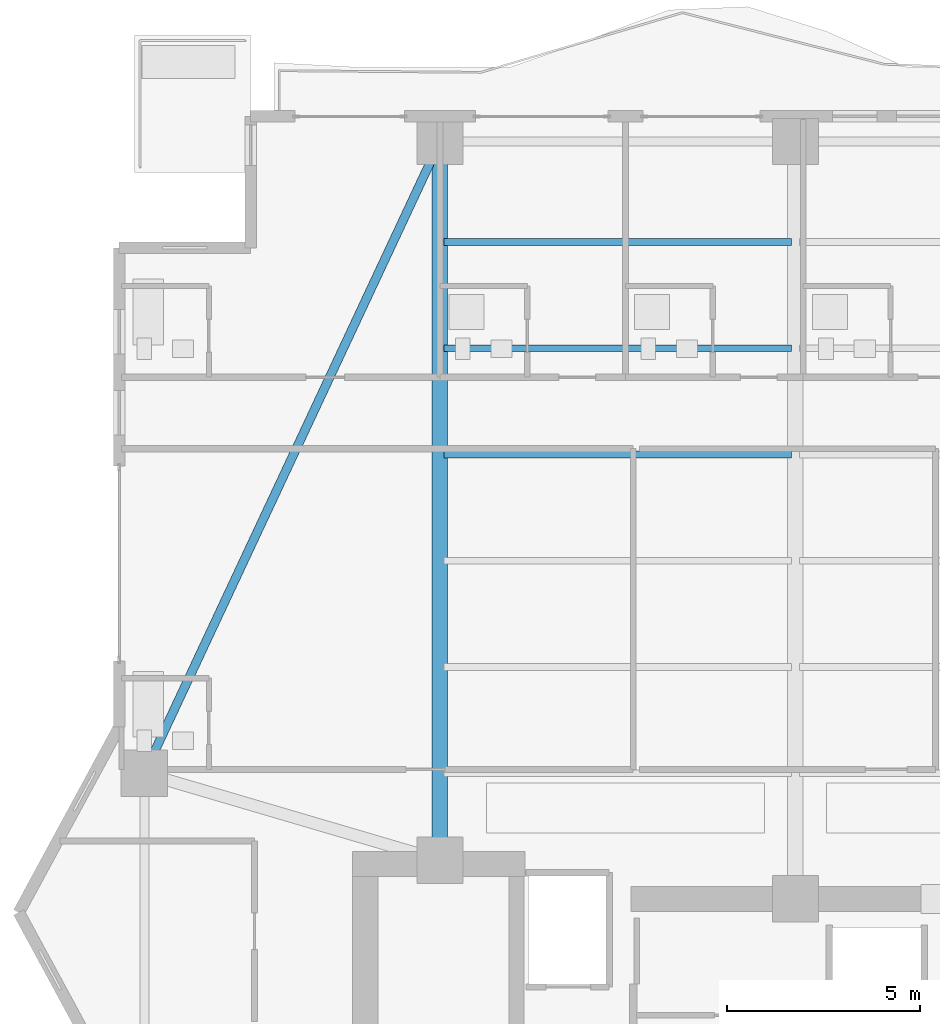
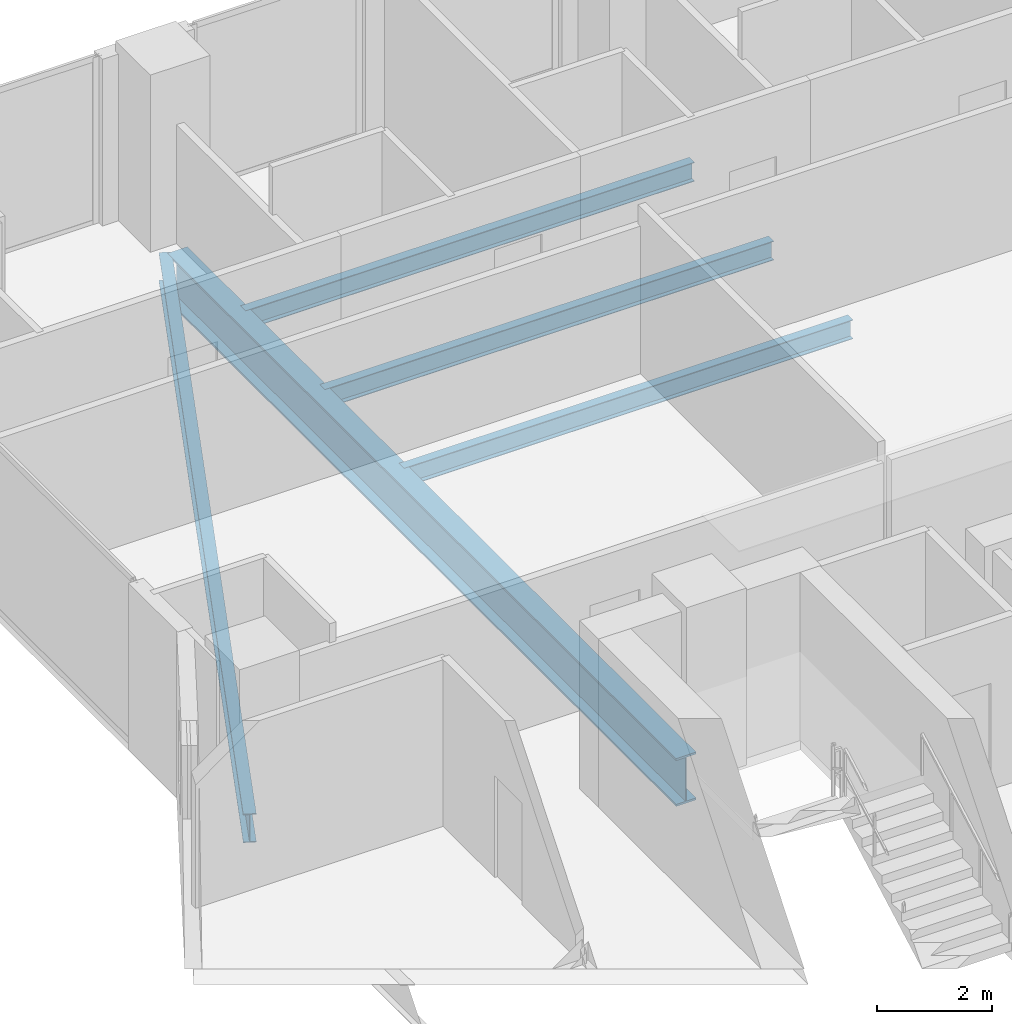
# One storey, part 16 of 33: 5 beams.
"""IFC4 building model written with IfcOpenShell, lengths in metres."""

from ifc_helpers import new_model, si_unit, direction, frame, origin, origin_2d, place, context, subcontext, project, spatial, i_section, extrude, material, material_profile, profile_set, type_object, element, save


model = new_model("IFC4")

# Units and contexts
model_context = context("Model", 3, precision=1e-05, world=origin(), true_north=direction((0.0, 1.0)))
body_context = subcontext(model_context, "Body", "Model", "MODEL_VIEW")
ifc_project = project(units=[si_unit("LENGTHUNIT", "METRE"), si_unit("AREAUNIT", "SQUARE_METRE"), si_unit("VOLUMEUNIT", "CUBIC_METRE"), si_unit("PLANEANGLEUNIT", "RADIAN"), si_unit("MASSUNIT", "GRAM", prefix="KILO")], contexts=[model_context])

# Site, building, storey
site_placement = place(None, origin())
site = spatial("IfcSite", under=ifc_project, at=site_placement, CompositionType="ELEMENT")
building_placement = place(site_placement, origin())
building = spatial("IfcBuilding", under=site, at=building_placement, Name="Zuhayl Quay Hotel", CompositionType="ELEMENT")
storey_placement = place(building_placement, frame((0.0, 0.0, 222.39990234375)))
storey = spatial("IfcBuildingStorey", under=building, at=storey_placement, Name="L56", CompositionType="ELEMENT", Elevation=222.39990234375)

# Beams
ifc_material = material(Name="Steel ASTM A992 Grade 50", Category="steel")
ifc_material_profile_1 = material_profile(ifc_material, i_section(OverallWidth=0.22802734375, OverallDepth=0.60693359375, WebThickness=0.01123046875, FlangeThickness=0.017333984375, at=origin_2d()), Name="W24X76")
ifc_profile_set_1 = profile_set([ifc_material_profile_1], Name="Steel ASTM A992 Grade 50")
beam_type_1 = type_object("IfcBeamType", Name="BM_B3_W24X76", PredefinedType="BEAM", material=ifc_profile_set_1)
beam_1_placement = place(storey_placement, frame((-14.011962890625, 32.4970703125, -0.5234375), z_axis=(-0.423792164429, -0.905759461098, 0.0), x_axis=(0.905759461098, -0.423792164429, 0.0)))
element("IfcBeam", 1, at=beam_1_placement, inside=storey, type_object=beam_type_1, Name="L56 Floor Beam RG_L56_10", PredefinedType="BEAM", context=body_context, shape_type="SweptSolid", body=[
    extrude(i_section(OverallWidth=0.22802734375, OverallDepth=0.60693359375, WebThickness=0.01123046875, FlangeThickness=0.017333984375, at=origin_2d()), origin(), (0.0, 0.0, 1.0), 17.051025390625),
])
ifc_material_profile_2 = material_profile(ifc_material, i_section(OverallWidth=0.177978515625, OverallDepth=0.406005859375, WebThickness=0.0078125, FlangeThickness=0.0126953125, at=origin_2d()), Name="W16X40")
ifc_profile_set_2 = profile_set([ifc_material_profile_2], Name="Steel ASTM A992 Grade 50")
beam_type_2 = type_object("IfcBeamType", Name="BM_J2B_W16X40", PredefinedType="JOIST", material=ifc_profile_set_2)
for number, where, z_axis, x_axis, name in (
    (2, (-13.694091796875, 24.85009765625, -0.4228515625), (1.0, 0.0, 0.0), (0.0, 1.0, 0.0), "L56 Floor Beam FJ_L56_4_1"),
    (3, (-13.694091796875, 27.60009765625, -0.4228515625), (1.0, 0.0, 0.0), (0.0, 1.0, 0.0), "L56 Floor Beam FJ_L56_5_1"),
    (4, (-13.694091796875, 30.35009765625, -0.4228515625), (1.0, 0.0, 0.0), (0.0, 1.0, 0.0), "L56 Floor Beam FJ_L56_6_1"),
):
    element("IfcBeam", number, at=place(storey_placement, frame(where, z_axis=z_axis, x_axis=x_axis)), inside=storey, type_object=beam_type_2, Name=name, PredefinedType="JOIST", context=body_context, shape_type="SweptSolid", body=[
        extrude(i_section(OverallWidth=0.177978515625, OverallDepth=0.406005859375, WebThickness=0.0078125, FlangeThickness=0.0126953125, at=origin_2d()), origin(), (0.0, 0.0, 1.0), 8.988037109375),
    ])
ifc_material_profile_3 = material_profile(ifc_material, i_section(OverallWidth=0.40087890625, OverallDepth=1.010986328125, WebThickness=0.023681640625, FlangeThickness=0.0419921875, at=origin_2d()), Name="W40X297")
ifc_profile_set_3 = profile_set([ifc_material_profile_3], Name="Steel ASTM A992 Grade 50")
beam_type_3 = type_object("IfcBeamType", Name="BM_TG2_W40X297", PredefinedType="BEAM", material=ifc_profile_set_3)
beam_2_placement = place(storey_placement, frame((-13.800048828125, 14.800048828125, -0.725341796875), z_axis=(0.0, 1.0, 0.0), x_axis=(-1.0, 0.0, 0.0)))
element("IfcBeam", 5, at=beam_2_placement, inside=storey, type_object=beam_type_3, Name="L56 Floor Beam FG_N_L56_1", PredefinedType="BEAM", context=body_context, shape_type="SweptSolid", body=[
    extrude(i_section(OverallWidth=0.40087890625, OverallDepth=1.010986328125, WebThickness=0.023681640625, FlangeThickness=0.0419921875, at=origin_2d()), origin(), (0.0, 0.0, 1.0), 17.64990234375),
])

save(model, "model.ifc")
